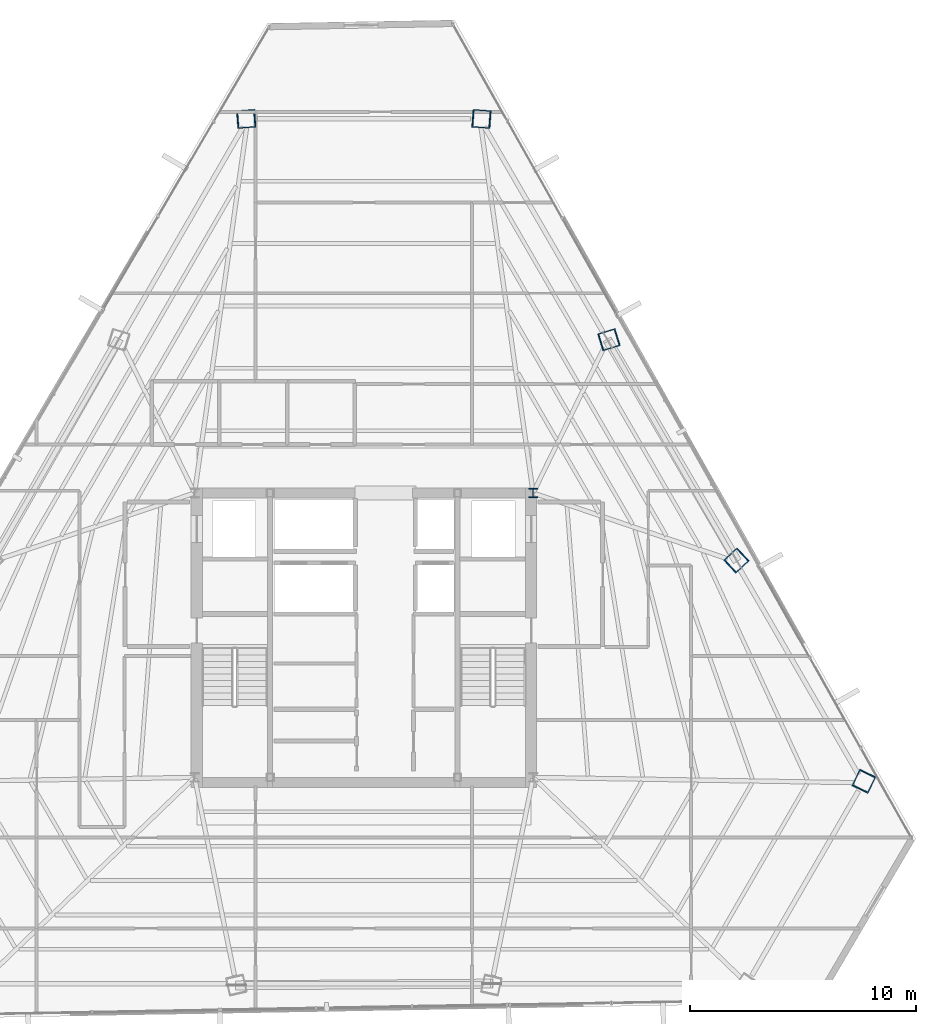
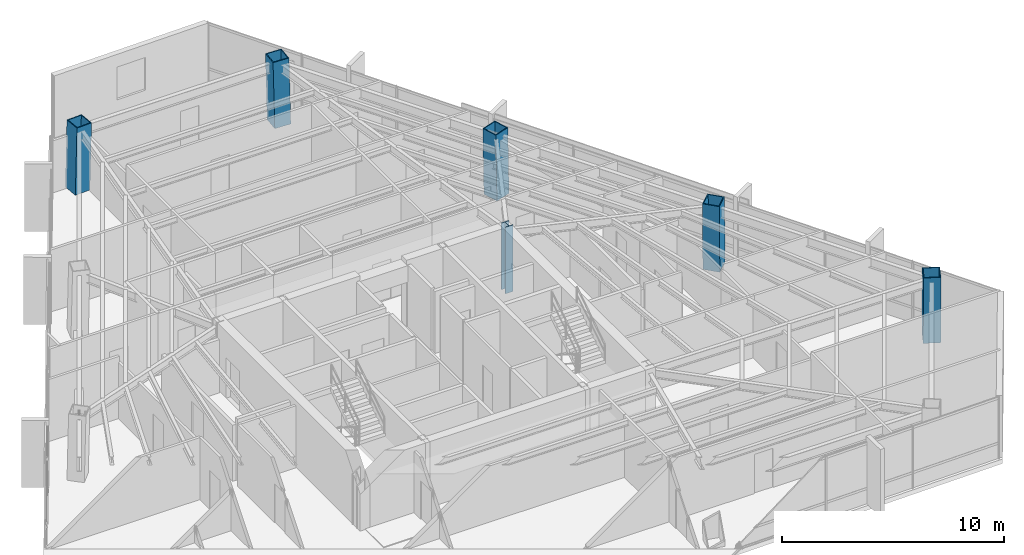
# One storey, part 2 of 44: 6 columns.
"""IFC4 building model written with IfcOpenShell, lengths in metres."""

import ifcopenshell
import ifcopenshell.guid

model = None  # the IFC model being written
_history = None  # IfcOwnerHistory: only IFC2X3 demands one
_inside = {}  # id of a spatial element -> (the spatial element, [elements in it])
_under = {}  # id of a project, library or spatial element -> (it, [spatial elements below it])
_declared = {}  # id of a project -> (the project, [libraries it declares])
_typed = {}  # id of a type object -> (the type object, [elements of that type])
_made_of = {}  # id of a material, layer set ... -> (it, [elements and type objects made of it])


def new_model(schema):
    """Start an empty IFC model of exactly this schema.

    Asked for "IFC4X3", IfcOpenShell would pick the latest addendum, in which some entities
    have other attributes; the version numbers below select the first issue.
    IFC2X3 requires an IfcOwnerHistory on every rooted entity: one is made here for all.
    """
    global model, _history
    if schema == "IFC4X3":
        model = ifcopenshell.file(schema_version=(4, 3, 0, 0))
    else:
        model = ifcopenshell.file(schema=schema)
    _inside.clear()
    _under.clear()
    _declared.clear()
    _typed.clear()
    _made_of.clear()
    _history = None
    if model.schema == "IFC2X3":
        org = make("IfcOrganization", Name="unknown")
        user = make(
            "IfcPersonAndOrganization",
            ThePerson=make("IfcPerson", FamilyName="unknown"),
            TheOrganization=org,
        )
        app = make(
            "IfcApplication",
            ApplicationDeveloper=org,
            Version="unknown",
            ApplicationFullName="unknown",
            ApplicationIdentifier="unknown",
        )
        _history = make(
            "IfcOwnerHistory",
            OwningUser=user,
            OwningApplication=app,
            ChangeAction="ADDED",
            CreationDate=0,
        )
    return model


def make(cls, **values):
    """One entity of the class cls with the attributes given. An attribute that is None is left unset."""
    return model.create_entity(
        cls, **{name: value for name, value in values.items() if value is not None}
    )


def rooted(cls, **values):
    """An entity with a GlobalId (a new one), such as an element, a storey or a relation."""
    return make(cls, GlobalId=ifcopenshell.guid.new(), OwnerHistory=_history, **values)


def si_unit(unit_type, name, prefix=None):
    """IfcSIUnit, for example si_unit("LENGTHUNIT", "METRE", prefix="MILLI")."""
    return make("IfcSIUnit", UnitType=unit_type, Prefix=prefix, Name=name)


def assignment(units):
    """IfcUnitAssignment: the units of a project."""
    return None if units is None else make("IfcUnitAssignment", Units=units)


def point(xyz):
    """IfcCartesianPoint."""
    return None if xyz is None else make("IfcCartesianPoint", Coordinates=xyz)


def direction(xyz):
    """IfcDirection."""
    return None if xyz is None else make("IfcDirection", DirectionRatios=xyz)


def frame(location, z_axis=None, x_axis=None):
    """IfcAxis2Placement3D, a coordinate frame: its origin and axes. An axis left out is left unset."""
    return make(
        "IfcAxis2Placement3D",
        Location=point(location),
        Axis=direction(z_axis),
        RefDirection=direction(x_axis),
    )


def frame_2d(location, x_axis=None):
    """IfcAxis2Placement2D, a coordinate frame in the plane: its origin and x axis."""
    return make(
        "IfcAxis2Placement2D", Location=point(location), RefDirection=direction(x_axis)
    )


def origin():
    """The frame at (0, 0, 0) with its axes left unset."""
    return frame((0.0, 0.0, 0.0))


def origin_2d():
    """The frame at (0, 0) in the plane with its x axis left unset."""
    return frame_2d((0.0, 0.0))


def place(relative_to, where):
    """IfcLocalPlacement: puts the frame where relative to a parent placement (None: the world)."""
    return make(
        "IfcLocalPlacement", PlacementRelTo=relative_to, RelativePlacement=where
    )


def context(
    kind, dimensions, precision=None, world=None, true_north=None, identifier=None
):
    """IfcGeometricRepresentationContext, for example the 3D "Model" context."""
    return make(
        "IfcGeometricRepresentationContext",
        ContextIdentifier=identifier,
        ContextType=kind,
        CoordinateSpaceDimension=dimensions,
        Precision=precision,
        WorldCoordinateSystem=world,
        TrueNorth=true_north,
    )


def subcontext(parent, identifier, kind, view, scale=None):
    """IfcGeometricRepresentationSubContext, for example "Body" below "Model"."""
    return make(
        "IfcGeometricRepresentationSubContext",
        ContextIdentifier=identifier,
        ContextType=kind,
        ParentContext=parent,
        TargetScale=scale,
        TargetView=view,
    )


def project(units=None, contexts=None):
    """IfcProject with its units and contexts."""
    return rooted(
        "IfcProject",
        Name="project",
        RepresentationContexts=contexts,
        UnitsInContext=assignment(units),
    )


def spatial(cls, under=None, at=None, **own):
    """A site, building, storey or space (cls), placed at a placement, below another one or the project."""
    s = rooted(cls, ObjectPlacement=at, **own)
    if under is not None:
        _under.setdefault(under.id(), (under, []))[1].append(s)
    return s


def profile(cls, at=None, kind="AREA", **sizes):
    """A parametric profile (cls). Its sizes go by their IFC names, for example OverallWidth=200.0."""
    return make(cls, ProfileType=kind, Position=at, **sizes)


def hollow_rectangle(**sizes):
    """IfcRectangleHollowProfileDef."""
    return profile("IfcRectangleHollowProfileDef", **sizes)


def i_section(**sizes):
    """IfcIShapeProfileDef."""
    return profile("IfcIShapeProfileDef", **sizes)


def extrude(swept, where, along, depth):
    """IfcExtrudedAreaSolid: the profile swept, set in the frame where, extruded along a direction by depth."""
    return make(
        "IfcExtrudedAreaSolid",
        SweptArea=swept,
        Position=where,
        ExtrudedDirection=direction(along),
        Depth=depth,
    )


def shape(context_of_items, identifier, shape_type, items):
    """IfcShapeRepresentation: the items that make up one representation, for example the "Body"."""
    return make(
        "IfcShapeRepresentation",
        ContextOfItems=context_of_items,
        RepresentationIdentifier=identifier,
        RepresentationType=shape_type,
        Items=items,
    )


def source(mapping_origin, context_of_items, identifier, shape_type, items):
    """IfcRepresentationMap: a shape defined once, which mapped items show again and again."""
    return make(
        "IfcRepresentationMap",
        MappingOrigin=mapping_origin,
        MappedRepresentation=shape(context_of_items, identifier, shape_type, items),
    )


def transform(
    local_origin,
    x_axis=None,
    y_axis=None,
    z_axis=None,
    scale=None,
    scale2=None,
    scale3=None,
    uniform=True,
):
    """IfcCartesianTransformationOperator3D, or its non-uniform kind. x_axis, y_axis, z_axis: its Axis1, 2, 3."""
    if uniform:
        return make(
            "IfcCartesianTransformationOperator3D",
            Axis1=direction(x_axis),
            Axis2=direction(y_axis),
            LocalOrigin=point(local_origin),
            Scale=scale,
            Axis3=direction(z_axis),
        )
    return make(
        "IfcCartesianTransformationOperator3DnonUniform",
        Axis1=direction(x_axis),
        Axis2=direction(y_axis),
        LocalOrigin=point(local_origin),
        Scale=scale,
        Axis3=direction(z_axis),
        Scale2=scale2,
        Scale3=scale3,
    )


def mapped(mapping_source, mapping_target):
    """IfcMappedItem: shows the shape of a source again, moved by a transform."""
    return make(
        "IfcMappedItem", MappingSource=mapping_source, MappingTarget=mapping_target
    )


def material(Name=None, Category=None):
    """IfcMaterial."""
    return make("IfcMaterial", Name=Name, Category=Category)


def material_profile(
    of_material, cross_section, Name=None, Category=None, Priority=None
):
    """IfcMaterialProfile: a cross section and its material."""
    return make(
        "IfcMaterialProfile",
        Name=Name,
        Material=of_material,
        Profile=cross_section,
        Priority=Priority,
        Category=Category,
    )


def profile_set(profiles, Name=None, composite=None):
    """IfcMaterialProfileSet."""
    return make(
        "IfcMaterialProfileSet",
        Name=Name,
        MaterialProfiles=profiles,
        CompositeProfile=composite,
    )


def made_of(thing, what):
    """Note that an element or type object is made of a material, layer set ...; save() writes the relation."""
    if what is not None:
        _made_of.setdefault(what.id(), (what, []))[1].append(thing)
    return thing


def type_object(cls, material=None, **own):
    """A type object (cls), such as IfcWallType, which elements share."""
    return made_of(rooted(cls, **own), material)


def type_shapes(of_type, sources):
    """Give a type object the sources (RepresentationMaps) that its elements show as mapped items."""
    of_type.RepresentationMaps = sources


def element(
    cls,
    number,
    at=None,
    inside=None,
    cuts=None,
    type_object=None,
    material=None,
    context=None,
    identifier="Body",
    shape_type=None,
    held_by="IfcProductDefinitionShape",
    body=None,
    shapes=None,
    **own,
):
    """One element of the class cls, such as IfcWall. Its Tag is "e" and its number.

    at: its placement. inside: the storey or other place that contains it. cuts: it is an
    opening in that element (IfcRelVoidsElement). A single representation is given by context,
    identifier, shape_type and body (its items); several are given by shapes. held_by: the class
    of the entity that holds the representations. save() writes the other relations.
    """
    e = rooted(cls, Tag="e%d" % number, ObjectPlacement=at, **own)
    if body is not None:
        shapes = [shape(context, identifier, shape_type, body)]
    if shapes is not None:
        e.Representation = make(held_by, Representations=shapes)
    if inside is not None:
        _inside.setdefault(inside.id(), (inside, []))[1].append(e)
    if cuts is not None:
        rooted(
            "IfcRelVoidsElement", RelatingBuildingElement=cuts, RelatedOpeningElement=e
        )
    if type_object is not None:
        _typed.setdefault(type_object.id(), (type_object, []))[1].append(e)
    return made_of(e, material)


def aggregate(whole, parts):
    """IfcRelAggregates: a whole, such as a stair, and the parts it consists of."""
    return rooted("IfcRelAggregates", RelatingObject=whole, RelatedObjects=parts)


def save(model, path):
    """Write the relations noted so far, then the file.

    IfcRelAggregates (storeys below a building ...), IfcRelContainedInSpatialStructure (elements
    in a storey), IfcRelDefinesByType, IfcRelAssociatesMaterial and IfcRelDeclares: one each for
    every whole, place, type object, material and project.
    """
    for whole, parts in _under.values():
        aggregate(whole, parts)
    for where, things in _inside.values():
        rooted(
            "IfcRelContainedInSpatialStructure",
            RelatedElements=things,
            RelatingStructure=where,
        )
    for kind, things in _typed.values():
        rooted("IfcRelDefinesByType", RelatedObjects=things, RelatingType=kind)
    for what, things in _made_of.values():
        rooted("IfcRelAssociatesMaterial", RelatedObjects=things, RelatingMaterial=what)
    for by, libraries in _declared.values():
        rooted("IfcRelDeclares", RelatingContext=by, RelatedDefinitions=libraries)
    model.write(path)


model = new_model("IFC4")

# Units and contexts
model_context = context("Model", 3, precision=1e-05, world=origin(), true_north=direction((0.0, 1.0)))
body_context = subcontext(model_context, "Body", "Model", "MODEL_VIEW")
ifc_project = project(units=[si_unit("LENGTHUNIT", "METRE"), si_unit("AREAUNIT", "SQUARE_METRE"), si_unit("VOLUMEUNIT", "CUBIC_METRE"), si_unit("PLANEANGLEUNIT", "RADIAN"), si_unit("MASSUNIT", "GRAM", prefix="KILO")], contexts=[model_context])

# Site, building, storey
site_placement = place(None, origin())
site = spatial("IfcSite", under=ifc_project, at=site_placement, CompositionType="ELEMENT")
building_placement = place(site_placement, origin())
building = spatial("IfcBuilding", under=site, at=building_placement, Name="Caelisora Broadcast Tower", CompositionType="ELEMENT")
storey_placement = place(building_placement, frame((0.0, 0.0, 198.64990234375)))
storey = spatial("IfcBuildingStorey", under=building, at=storey_placement, Name="L52", CompositionType="ELEMENT", Elevation=198.64990234375)

# Columns
ifc_material_1 = material(Name="Steel Grade 350 (AS/NZS 3679.2)", Category="steel")
ifc_material_profile_1 = material_profile(ifc_material_1, i_section(OverallWidth=0.39990234375, OverallDepth=0.39990234375, WebThickness=0.02001953125, FlangeThickness=0.031982421875, at=origin_2d()), Name="Steel Grade 350 (AS/NZS 3679.2)")
ifc_profile_set_1 = profile_set([ifc_material_profile_1], Name="Steel Grade 350 (AS/NZS 3679.2)")
column_type_1 = type_object("IfcColumnType", Name="CC02", PredefinedType="COLUMN", material=ifc_profile_set_1)
shared_shape_1 = source(origin(), body_context, "Body", "SweptSolid", [
    extrude(i_section(OverallWidth=0.39990234375, OverallDepth=0.39990234375, WebThickness=0.02001953125, FlangeThickness=0.031982421875, at=origin_2d()), origin(), (0.0, 0.0, 1.0), 3.650146484375),
])
type_shapes(column_type_1, [shared_shape_1])
column_placement = place(storey_placement, frame((45.5, 30.0, 0.0), z_axis=(0.0, 0.0, 1.0), x_axis=(1.0, 0.0, 0.0)))
element("IfcColumn", 1, at=column_placement, inside=storey, type_object=column_type_1, Name="L52 column CC02", PredefinedType="COLUMN", context=body_context, shape_type="MappedRepresentation", body=[
    mapped(shared_shape_1, transform((0.0, 0.0, 0.0), scale=1.0)),
])
ifc_material_2 = material(Name="Steel Grade 350 L15 (AS/NZS 3678)", Category="steel")
ifc_material_profile_2 = material_profile(ifc_material_2, hollow_rectangle(XDim=0.800048828125, YDim=0.800048828125, WallThickness=0.044921875, at=origin_2d()), Name="Steel Grade 350 L15 (AS/NZS 3678)")
ifc_profile_set_2 = profile_set([ifc_material_profile_2], Name="Steel Grade 350 L15 (AS/NZS 3678)")
column_type_2 = type_object("IfcColumnType", Name="MC05", PredefinedType="COLUMN", material=ifc_profile_set_2)
shared_shape_2 = source(origin(), body_context, "Body", "SweptSolid", [
    extrude(hollow_rectangle(XDim=0.800048828125, YDim=0.800048828125, WallThickness=0.044921875, at=origin_2d()), origin(), (0.0, 0.0, 1.0), 3.65087890625),
])
for number, where, z_axis, x_axis, name in (
    (2, (54.51611328125, 27.01708984375, 0.0), (-0.01484544602, -0.013842375343, 0.999793979466), (0.681966025159, -0.731383853069, 0.0), "L52 column MC05"),
    (3, (48.870849609375, 36.794921875, 0.0), (-0.01939269685, -0.00601842316, 0.999793829693), (0.296399214872, -0.955064136811, 0.0), "L52 column MC05"),
):
    element("IfcColumn", number, at=place(storey_placement, frame(where, z_axis=z_axis, x_axis=x_axis)), inside=storey, type_object=column_type_2, Name=name, PredefinedType="COLUMN", context=body_context, shape_type="MappedRepresentation", body=[
        mapped(shared_shape_2, transform((0.0, 0.0, 0.0), scale=1.0)),
    ])
shared_shape_3 = source(origin(), body_context, "Body", "SweptSolid", [
    extrude(hollow_rectangle(XDim=0.800048828125, YDim=0.800048828125, WallThickness=0.044921875, at=origin_2d()), origin(), (0.0, 0.0, 1.0), 3.651123046875),
])
type_shapes(column_type_2, [shared_shape_2, shared_shape_3])
for number, where, z_axis, x_axis, name in (
    (4, (43.2255859375, 46.572998046875, 0.0), (-0.023937986077, 0.001805378838, 0.99971181519), (-0.075205412575, -0.997168063026, 0.0), "L52 column MC05"),
    (5, (32.7744140625, 46.572998046875, 0.0), (0.023937986077, 0.001805378838, 0.99971181519), (-0.075205412575, 0.997168063026, 0.0), "L52 column MC05"),
    (6, (60.16162109375, 17.239013671875, 0.0), (-0.010431083049, -0.021597691184, 0.999712324742), (0.900476348161, -0.434904985489, 0.0), "L52 column MC05"),
):
    element("IfcColumn", number, at=place(storey_placement, frame(where, z_axis=z_axis, x_axis=x_axis)), inside=storey, type_object=column_type_2, Name=name, PredefinedType="COLUMN", context=body_context, shape_type="MappedRepresentation", body=[
        mapped(shared_shape_3, transform((0.0, 0.0, 0.0), scale=1.0)),
    ])

save(model, "model.ifc")
